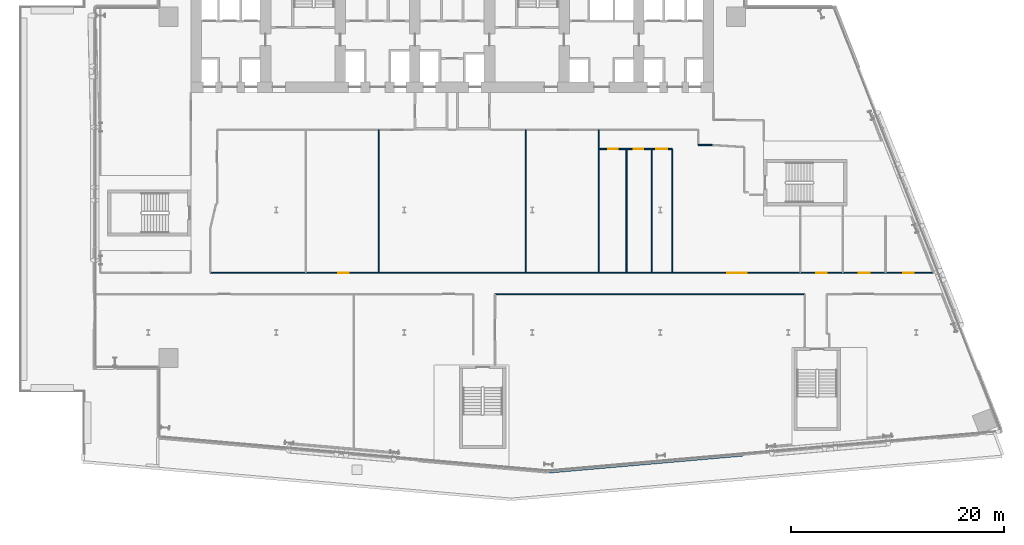
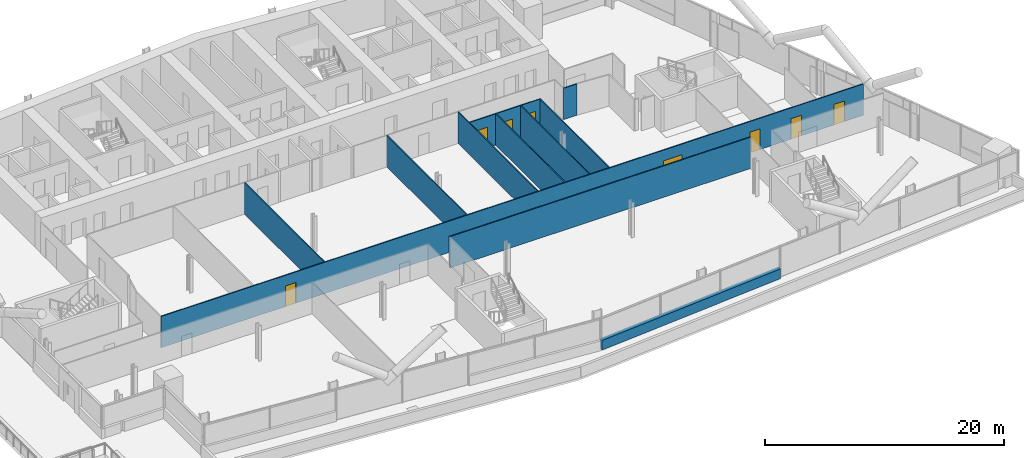
# One storey, part 13 of 26: 11 walls, 8 doors, 8 openings.
"""IFC4 building model written with IfcOpenShell, lengths in metres."""

from ifc_helpers import new_model, si_unit, direction, frame, frame_2d, origin, place, context, subcontext, project, spatial, rectangle, extrude, material, layer, layer_set, type_object, element, fill, save


model = new_model("IFC4")

# Units and contexts
model_context = context("Model", 3, precision=1e-05, world=origin(), true_north=direction((0.0, 1.0)))
body_context = subcontext(model_context, "Body", "Model", "MODEL_VIEW")
ifc_project = project(units=[si_unit("LENGTHUNIT", "METRE"), si_unit("AREAUNIT", "SQUARE_METRE"), si_unit("VOLUMEUNIT", "CUBIC_METRE"), si_unit("PLANEANGLEUNIT", "RADIAN"), si_unit("MASSUNIT", "GRAM", prefix="KILO")], contexts=[model_context])

# Site, building, storey
site_placement = place(None, origin())
site = spatial("IfcSite", under=ifc_project, at=site_placement, CompositionType="ELEMENT")
building_placement = place(site_placement, origin())
building = spatial("IfcBuilding", under=site, at=building_placement, Name="Wharfspan Tower", CompositionType="ELEMENT")
storey_placement = place(building_placement, frame((0.0, 0.0, 96.699951)))
storey = spatial("IfcBuildingStorey", under=building, at=storey_placement, Name="L21", CompositionType="ELEMENT", Elevation=96.699951)

# Wall, openings, doors
ifc_material_1 = material(Name="Gypsum board on steel studs", Category="steel")
ifc_layer_1 = layer(ifc_material_1, 0.100098)
ifc_layer_set_1 = layer_set([ifc_layer_1], Name="Gypsum board on steel studs")
wall_type_1 = type_object("IfcWallType", Name="Compartment wall 100 EI 60", PredefinedType="PARTITIONING", material=ifc_layer_set_1)
wall_1_placement = place(storey_placement, frame((17.800049, 17.094971, 0.0), z_axis=(0.0, 0.0, 1.0), x_axis=(1.0, 0.0, 0.0)))
wall_1 = element("IfcWall", 1, at=wall_1_placement, inside=storey, type_object=wall_type_1, Name="Partition L21.w008", PredefinedType="PARTITIONING", context=body_context, shape_type="SweptSolid", body=[
    extrude(rectangle(XDim=67.800049, YDim=0.100098, at=frame_2d((33.899902, 0.0))), origin(), (0.0, 0.0, 1.0), 3.199951),
])
opening_1_placement = place(wall_1_placement, frame((12.0, 0.0, 0.0)))
opening_1 = element("IfcOpeningElement", 2, at=opening_1_placement, cuts=wall_1, Name="Opening B1-06", PredefinedType="OPENING", context=body_context, shape_type="SweptSolid", body=[
    extrude(rectangle(XDim=1.0, YDim=2.100098, at=frame_2d((0.5, 1.050049))), frame((0.0, 0.060059, 0.0), z_axis=(0.0, -1.0, 0.0), x_axis=(1.0, 0.0, 0.0)), (0.0, 0.0, 1.0), 0.120117),
])
opening_2_placement = place(wall_1_placement, frame((48.5, 0.0, 0.0)))
opening_2 = element("IfcOpeningElement", 3, at=opening_2_placement, cuts=wall_1, Name="Opening B1-07", PredefinedType="OPENING", context=body_context, shape_type="SweptSolid", body=[
    extrude(rectangle(XDim=1.800049, YDim=2.100098, at=frame_2d((0.899902, 1.050049))), frame((0.0, 0.060059, 0.0), z_axis=(0.0, -1.0, 0.0), x_axis=(1.0, 0.0, 0.0)), (0.0, 0.0, 1.0), 0.120117),
])
opening_3_placement = place(wall_1_placement, frame((56.824951, 0.0, 0.0)))
opening_3 = element("IfcOpeningElement", 4, at=opening_3_placement, cuts=wall_1, Name="Opening B1-08", PredefinedType="OPENING", context=body_context, shape_type="SweptSolid", body=[
    extrude(rectangle(XDim=1.0, YDim=2.100098, at=frame_2d((0.5, 1.050049))), frame((0.0, 0.060059, 0.0), z_axis=(0.0, -1.0, 0.0), x_axis=(1.0, 0.0, 0.0)), (0.0, 0.0, 1.0), 0.120117),
])
opening_4_placement = place(wall_1_placement, frame((60.824951, 0.0, 0.0)))
opening_4 = element("IfcOpeningElement", 5, at=opening_4_placement, cuts=wall_1, Name="Opening B1-09", PredefinedType="OPENING", context=body_context, shape_type="SweptSolid", body=[
    extrude(rectangle(XDim=1.0, YDim=2.100098, at=frame_2d((0.5, 1.050049))), frame((0.0, 0.060059, 0.0), z_axis=(0.0, -1.0, 0.0), x_axis=(1.0, 0.0, 0.0)), (0.0, 0.0, 1.0), 0.120117),
])
opening_5_placement = place(wall_1_placement, frame((64.980713, 0.0, 0.0)))
opening_5 = element("IfcOpeningElement", 6, at=opening_5_placement, cuts=wall_1, Name="Opening B1-10", PredefinedType="OPENING", context=body_context, shape_type="SweptSolid", body=[
    extrude(rectangle(XDim=1.0, YDim=2.100098, at=frame_2d((0.5, 1.050049))), frame((0.0, 0.060059, 0.0), z_axis=(0.0, -1.0, 0.0), x_axis=(1.0, 0.0, 0.0)), (0.0, 0.0, 1.0), 0.120117),
])
ifc_material_2 = material(Name="Fire-rated timber door leaf in steel frame", Category="steel")
door_type_1 = type_object("IfcDoorType", Name="Door 1000 FD30S Left", OperationType="SINGLE_SWING_LEFT", PredefinedType="DOOR", material=ifc_material_2)
door_1_placement = place(opening_1_placement, origin())
door_1 = element("IfcDoor", 7, at=door_1_placement, inside=storey, type_object=door_type_1, Name="Door B1-06", OperationType="SINGLE_SWING_LEFT", OverallHeight=2.100098, OverallWidth=1.0, PredefinedType="DOOR", context=body_context, shape_type="SweptSolid", body=[
    extrude(rectangle(XDim=1.0, YDim=2.100098, at=frame_2d((0.5, 1.050049))), frame((0.0, 0.024902, 0.0), z_axis=(0.0, -1.0, 0.0), x_axis=(1.0, 0.0, 0.0)), (0.0, 0.0, 1.0), 0.050049),
])
fill(opening_1, door_1)
door_type_2 = type_object("IfcDoorType", Name="Door 1000 FD30S Right", OperationType="SINGLE_SWING_RIGHT", PredefinedType="DOOR", material=ifc_material_2)
door_2_placement = place(opening_3_placement, origin())
door_2 = element("IfcDoor", 8, at=door_2_placement, inside=storey, type_object=door_type_2, Name="Door B1-08", OperationType="SINGLE_SWING_RIGHT", OverallHeight=2.100098, OverallWidth=1.0, PredefinedType="DOOR", context=body_context, shape_type="SweptSolid", body=[
    extrude(rectangle(XDim=1.0, YDim=2.100098, at=frame_2d((0.5, 1.050049))), frame((0.0, 0.024902, 0.0), z_axis=(0.0, -1.0, 0.0), x_axis=(1.0, 0.0, 0.0)), (0.0, 0.0, 1.0), 0.050049),
])
fill(opening_3, door_2)
door_3_placement = place(opening_4_placement, origin())
door_3 = element("IfcDoor", 9, at=door_3_placement, inside=storey, type_object=door_type_2, Name="Door B1-09", OperationType="SINGLE_SWING_RIGHT", OverallHeight=2.100098, OverallWidth=1.0, PredefinedType="DOOR", context=body_context, shape_type="SweptSolid", body=[
    extrude(rectangle(XDim=1.0, YDim=2.100098, at=frame_2d((0.5, 1.050049))), frame((0.0, 0.024902, 0.0), z_axis=(0.0, -1.0, 0.0), x_axis=(1.0, 0.0, 0.0)), (0.0, 0.0, 1.0), 0.050049),
])
fill(opening_4, door_3)
door_4_placement = place(opening_5_placement, origin())
door_4 = element("IfcDoor", 10, at=door_4_placement, inside=storey, type_object=door_type_2, Name="Door B1-10", OperationType="SINGLE_SWING_RIGHT", OverallHeight=2.100098, OverallWidth=1.0, PredefinedType="DOOR", context=body_context, shape_type="SweptSolid", body=[
    extrude(rectangle(XDim=1.0, YDim=2.100098, at=frame_2d((0.5, 1.050049))), frame((0.0, 0.024902, 0.0), z_axis=(0.0, -1.0, 0.0), x_axis=(1.0, 0.0, 0.0)), (0.0, 0.0, 1.0), 0.050049),
])
fill(opening_5, door_4)
door_type_3 = type_object("IfcDoorType", Name="Door 1800 FD30S Double", OperationType="DOUBLE_DOOR_SINGLE_SWING", PredefinedType="DOOR", material=ifc_material_2)
door_5_placement = place(opening_2_placement, origin())
door_5 = element("IfcDoor", 11, at=door_5_placement, inside=storey, type_object=door_type_3, Name="Door B1-07", OperationType="DOUBLE_DOOR_SINGLE_SWING", OverallHeight=2.100098, OverallWidth=1.800049, PredefinedType="DOOR", context=body_context, shape_type="SweptSolid", body=[
    extrude(rectangle(XDim=1.800049, YDim=2.100098, at=frame_2d((0.899902, 1.050049))), frame((0.0, 0.024902, 0.0), z_axis=(0.0, -1.0, 0.0), x_axis=(1.0, 0.0, 0.0)), (0.0, 0.0, 1.0), 0.050049),
])
fill(opening_2, door_5)

# Walls
wall_2_placement = place(storey_placement, frame((33.625, 17.094971, 0.0), z_axis=(0.0, 0.0, 1.0), x_axis=(0.0, 1.0, 0.0)))
element("IfcWall", 12, at=wall_2_placement, inside=storey, type_object=wall_type_1, Name="Partition L21.w017", PredefinedType="PARTITIONING", context=body_context, shape_type="SweptSolid", body=[
    extrude(rectangle(XDim=13.405029, YDim=0.100098, at=frame_2d((6.702637, 0.0))), origin(), (0.0, 0.0, 1.0), 3.199951),
])
wall_3_placement = place(storey_placement, frame((44.51001, 15.090088, 0.0), z_axis=(0.0, 0.0, 1.0), x_axis=(1.0, 0.0, 0.0)))
element("IfcWall", 13, at=wall_3_placement, inside=storey, type_object=wall_type_1, Name="Partition L21.w021", PredefinedType="PARTITIONING", context=body_context, shape_type="SweptSolid", body=[
    extrude(rectangle(XDim=29.054932, YDim=0.100098, at=frame_2d((14.527344, 0.0))), origin(), (0.0, 0.0, 1.0), 3.199951),
])
wall_4_placement = place(storey_placement, frame((47.375, 17.094971, 0.0), z_axis=(0.0, 0.0, 1.0), x_axis=(0.0, 1.0, 0.0)))
element("IfcWall", 14, at=wall_4_placement, inside=storey, type_object=wall_type_1, Name="Partition L21.w022", PredefinedType="PARTITIONING", context=body_context, shape_type="SweptSolid", body=[
    extrude(rectangle(XDim=13.405029, YDim=0.100098, at=frame_2d((6.702637, 0.0))), origin(), (0.0, 0.0, 1.0), 3.199951),
])
wall_5_placement = place(storey_placement, frame((54.25, 17.094971, 0.0), z_axis=(0.0, 0.0, 1.0), x_axis=(0.0, 1.0, 0.0)))
element("IfcWall", 15, at=wall_5_placement, inside=storey, type_object=wall_type_1, Name="Partition L21.w023", PredefinedType="PARTITIONING", context=body_context, shape_type="SweptSolid", body=[
    extrude(rectangle(XDim=13.39502, YDim=0.100098, at=frame_2d((6.69751, 0.0))), origin(), (0.0, 0.0, 1.0), 3.199951),
])
for number, where, z_axis, x_axis, name in (
    (16, (56.840088, 17.094971, 0.0), (0.0, 0.0, 1.0), (0.0, 1.0, 0.0), "Partition L21.w025"),
    (17, (59.225098, 17.094971, 0.0), (0.0, 0.0, 1.0), (0.0, 1.0, 0.0), "Partition L21.w026"),
    (18, (61.125, 17.094971, 0.0), (0.0, 0.0, 1.0), (0.0, 1.0, 0.0), "Partition L21.w027"),
):
    element("IfcWall", number, at=place(storey_placement, frame(where, z_axis=z_axis, x_axis=x_axis)), inside=storey, type_object=wall_type_1, Name=name, PredefinedType="PARTITIONING", context=body_context, shape_type="SweptSolid", body=[
        extrude(rectangle(XDim=11.60498, YDim=0.100098, at=frame_2d((5.80249, 0.0))), origin(), (0.0, 0.0, 1.0), 3.199951),
    ])
wall_6_placement = place(storey_placement, frame((63.574951, 29.074951, 0.0), z_axis=(0.0, 0.0, 1.0), x_axis=(1.0, 0.0, 0.0)))
element("IfcWall", 19, at=wall_6_placement, inside=storey, type_object=wall_type_1, Name="Partition L21.w029", PredefinedType="PARTITIONING", context=body_context, shape_type="SweptSolid", body=[
    extrude(rectangle(XDim=1.285156, YDim=0.100098, at=frame_2d((0.642578, 0.0))), origin(), (0.0, 0.0, 1.0), 3.199951),
])

# Wall, openings, doors
ifc_layer_2 = layer(ifc_material_1, 0.100098)
ifc_layer_set_2 = layer_set([ifc_layer_2], Name="Gypsum board on steel studs")
wall_type_2 = type_object("IfcWallType", Name="Partition 100", PredefinedType="PARTITIONING", material=ifc_layer_set_2)
wall_7_placement = place(storey_placement, frame((54.25, 28.699951, 0.0), z_axis=(0.0, 0.0, 1.0), x_axis=(1.0, 0.0, 0.0)))
wall_7 = element("IfcWall", 20, at=wall_7_placement, inside=storey, type_object=wall_type_2, Name="Partition L21.w024", PredefinedType="PARTITIONING", context=body_context, shape_type="SweptSolid", body=[
    extrude(rectangle(XDim=6.875, YDim=0.100098, at=frame_2d((3.4375, 0.0))), origin(), (0.0, 0.0, 1.0), 3.199951),
])
opening_6_placement = place(wall_7_placement, frame((0.870117, 0.0, 0.0)))
opening_6 = element("IfcOpeningElement", 21, at=opening_6_placement, cuts=wall_7, Name="Opening B1-12", PredefinedType="OPENING", context=body_context, shape_type="SweptSolid", body=[
    extrude(rectangle(XDim=0.899902, YDim=2.100098, at=frame_2d((0.449951, 1.050049))), frame((0.0, 0.060059, 0.0), z_axis=(0.0, -1.0, 0.0), x_axis=(1.0, 0.0, 0.0)), (0.0, 0.0, 1.0), 0.120117),
])
opening_7_placement = place(wall_7_placement, frame((3.26001, 0.0, 0.0)))
opening_7 = element("IfcOpeningElement", 22, at=opening_7_placement, cuts=wall_7, Name="Opening B1-13", PredefinedType="OPENING", context=body_context, shape_type="SweptSolid", body=[
    extrude(rectangle(XDim=0.899902, YDim=2.100098, at=frame_2d((0.449951, 1.050049))), frame((0.0, 0.060059, 0.0), z_axis=(0.0, -1.0, 0.0), x_axis=(1.0, 0.0, 0.0)), (0.0, 0.0, 1.0), 0.120117),
])
opening_8_placement = place(wall_7_placement, frame((5.39502, 0.0, 0.0)))
opening_8 = element("IfcOpeningElement", 23, at=opening_8_placement, cuts=wall_7, Name="Opening B1-14", PredefinedType="OPENING", context=body_context, shape_type="SweptSolid", body=[
    extrude(rectangle(XDim=1.0, YDim=2.100098, at=frame_2d((0.5, 1.050049))), frame((0.0, 0.060059, 0.0), z_axis=(0.0, -1.0, 0.0), x_axis=(1.0, 0.0, 0.0)), (0.0, 0.0, 1.0), 0.120117),
])
ifc_material_3 = material(Name="Timber door leaf in steel frame", Category="steel")
door_type_4 = type_object("IfcDoorType", Name="Door 1000 NOT RATED Right", OperationType="SINGLE_SWING_RIGHT", PredefinedType="DOOR", material=ifc_material_3)
door_6_placement = place(opening_8_placement, origin())
door_6 = element("IfcDoor", 24, at=door_6_placement, inside=storey, type_object=door_type_4, Name="Door B1-14", OperationType="SINGLE_SWING_RIGHT", OverallHeight=2.100098, OverallWidth=1.0, PredefinedType="DOOR", context=body_context, shape_type="SweptSolid", body=[
    extrude(rectangle(XDim=1.0, YDim=2.100098, at=frame_2d((0.5, 1.050049))), frame((0.0, 0.024902, 0.0), z_axis=(0.0, -1.0, 0.0), x_axis=(1.0, 0.0, 0.0)), (0.0, 0.0, 1.0), 0.050049),
])
fill(opening_8, door_6)
door_type_5 = type_object("IfcDoorType", Name="Door 900 NOT RATED Left", OperationType="SINGLE_SWING_LEFT", PredefinedType="DOOR", material=ifc_material_3)
door_7_placement = place(opening_6_placement, origin())
door_7 = element("IfcDoor", 25, at=door_7_placement, inside=storey, type_object=door_type_5, Name="Door B1-12", OperationType="SINGLE_SWING_LEFT", OverallHeight=2.100098, OverallWidth=0.899902, PredefinedType="DOOR", context=body_context, shape_type="SweptSolid", body=[
    extrude(rectangle(XDim=0.899902, YDim=2.100098, at=frame_2d((0.449951, 1.050049))), frame((0.0, 0.024902, 0.0), z_axis=(0.0, -1.0, 0.0), x_axis=(1.0, 0.0, 0.0)), (0.0, 0.0, 1.0), 0.050049),
])
fill(opening_6, door_7)
door_type_6 = type_object("IfcDoorType", Name="Door 900 NOT RATED Right", OperationType="SINGLE_SWING_RIGHT", PredefinedType="DOOR", material=ifc_material_3)
door_8_placement = place(opening_7_placement, origin())
door_8 = element("IfcDoor", 26, at=door_8_placement, inside=storey, type_object=door_type_6, Name="Door B1-13", OperationType="SINGLE_SWING_RIGHT", OverallHeight=2.100098, OverallWidth=0.899902, PredefinedType="DOOR", context=body_context, shape_type="SweptSolid", body=[
    extrude(rectangle(XDim=0.899902, YDim=2.100098, at=frame_2d((0.449951, 1.050049))), frame((0.0, 0.024902, 0.0), z_axis=(0.0, -1.0, 0.0), x_axis=(1.0, 0.0, 0.0)), (0.0, 0.0, 1.0), 0.050049),
])
fill(opening_7, door_8)

# Wall
ifc_material_4 = material(Name="Concrete C40/50", Category="concrete")
ifc_layer_3 = layer(ifc_material_4, 0.350098)
ifc_layer_set_3 = layer_set([ifc_layer_3], Name="Concrete C40/50")
wall_type_3 = type_object("IfcWallType", Name="SPANDREL EXPOSED CONCRETE 350", PredefinedType="SOLIDWALL", material=ifc_layer_set_3)
wall_8_placement = place(storey_placement, frame((49.54541, -1.519287, 0.0), z_axis=(0.0, 0.0, 1.0), x_axis=(0.996191, 0.087151, 0.0)))
element("IfcWall", 27, at=wall_8_placement, inside=storey, type_object=wall_type_3, Name="Spandrel upstand L21 S2 1", PredefinedType="SOLIDWALL", context=body_context, shape_type="SweptSolid", body=[
    extrude(rectangle(XDim=18.20874, YDim=0.350098, at=frame_2d((9.104492, 0.0))), origin(), (0.0, 0.0, 1.0), 1.0),
])

save(model, "model.ifc")
